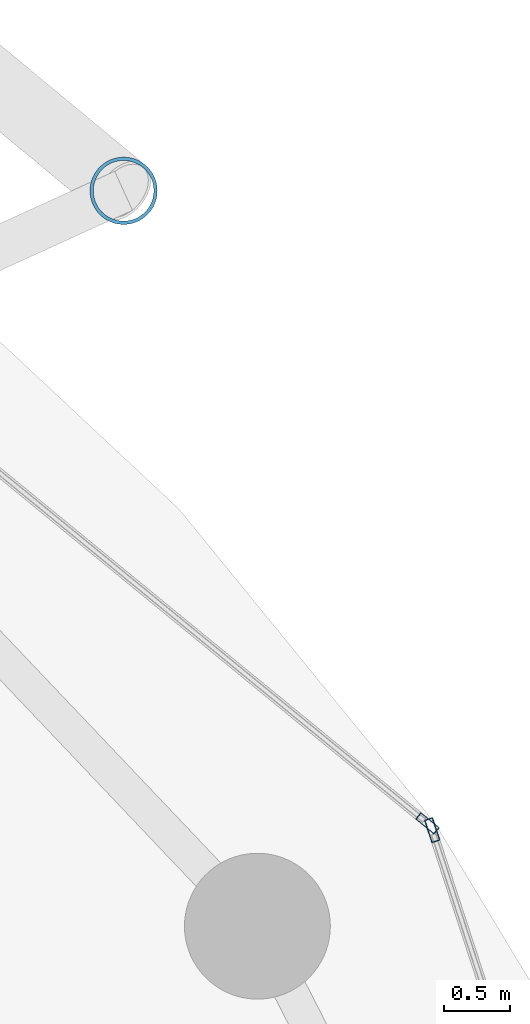
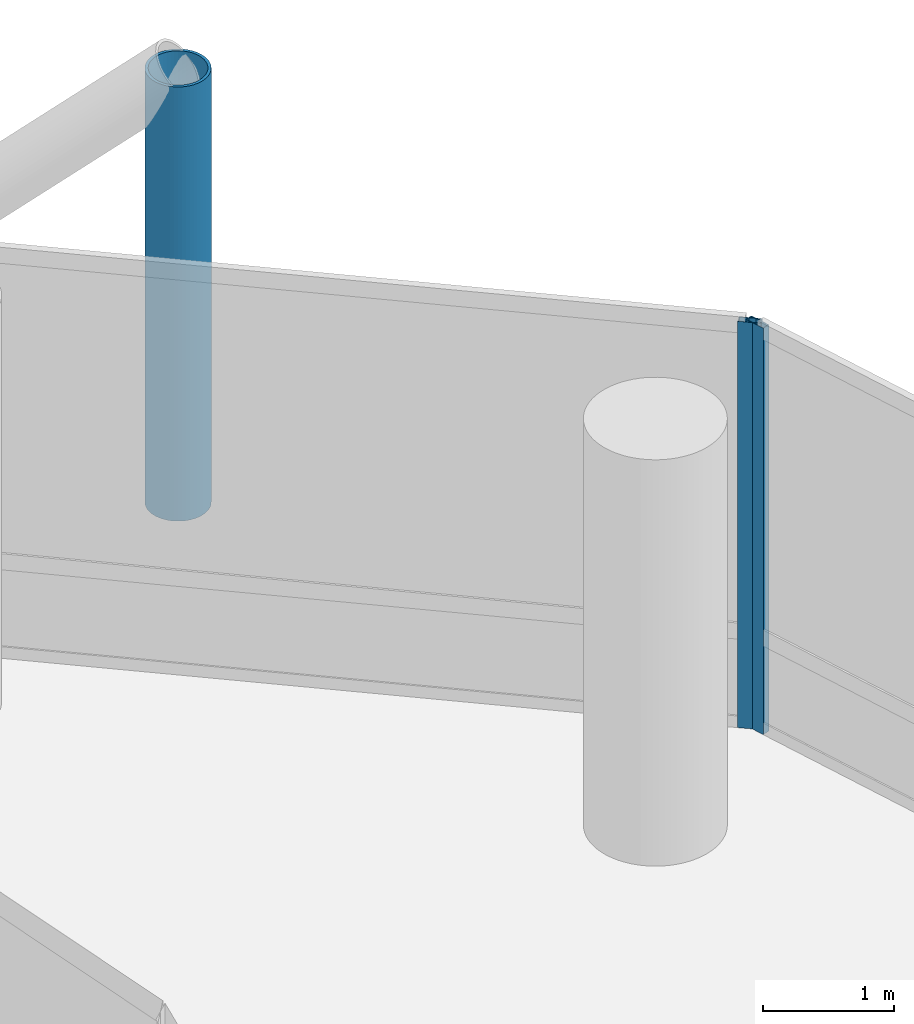
# One storey, part 19 of 25: 3 members, 2 elements without a shape of their own.
"""IFC4 building model written with IfcOpenShell, lengths in metres."""

from ifc_helpers import new_model, si_unit, direction, frame, origin, origin_2d, place, context, subcontext, project, spatial, hollow_rectangle, hollow_circle, extrude, material, layer, layer_set, material_profile, profile_set, type_object, element, aggregate, save


model = new_model("IFC4")

# Units and contexts
model_context = context("Model", 3, precision=1e-05, world=origin(), true_north=direction((0.0, 1.0)))
body_context = subcontext(model_context, "Body", "Model", "MODEL_VIEW")
ifc_project = project(units=[si_unit("LENGTHUNIT", "METRE"), si_unit("AREAUNIT", "SQUARE_METRE"), si_unit("VOLUMEUNIT", "CUBIC_METRE"), si_unit("PLANEANGLEUNIT", "RADIAN"), si_unit("MASSUNIT", "GRAM", prefix="KILO")], contexts=[model_context])

# Site, building, storey
site_placement = place(None, origin())
site = spatial("IfcSite", under=ifc_project, at=site_placement, CompositionType="ELEMENT")
building_placement = place(site_placement, origin())
building = spatial("IfcBuilding", under=site, at=building_placement, Name="Nuhasar Tower", CompositionType="ELEMENT")
storey_placement = place(building_placement, frame((0.0, 0.0, 45.300048828125)))
storey = spatial("IfcBuildingStorey", under=building, at=storey_placement, Name="L10", CompositionType="ELEMENT", Elevation=45.300048828125)

# Curtain wall, member
ifc_material_1 = material(Name="Aluminium 6063-T6", Category="aluminium")
ifc_layer = layer(ifc_material_1, 0.199951171875)
ifc_layer_set = layer_set([ifc_layer], Name="Aluminium 6063-T6")
curtain_wall_type = type_object("IfcCurtainWallType", Name="CW-Z1-OFF", PredefinedType="NOTDEFINED", material=ifc_layer_set)
curtain_wall_1_placement = place(storey_placement, origin())
curtain_wall_1 = element("IfcCurtainWall", 1, at=curtain_wall_1_placement, inside=storey, type_object=curtain_wall_type, Name="L10 Unitised Curtain Wall 01", PredefinedType="NOTDEFINED")
ifc_material_profile_1 = material_profile(ifc_material_1, hollow_rectangle(XDim=0.06494140625, YDim=0.179931640625, WallThickness=0.0048828125, at=origin_2d()), Name="CWM-2")
ifc_profile_set_1 = profile_set([ifc_material_profile_1], Name="Aluminium 6063-T6")
member_type_1 = type_object("IfcMemberType", Name="CW-MUL-S2", PredefinedType="MULLION", material=ifc_profile_set_1)
member_1_placement = place(storey_placement, frame((62.01220703125, 37.649169921875, 0.0), z_axis=(0.0, 0.0, 1.0), x_axis=(-0.950467534571, -0.310823849997, 0.0)))
member_1 = element("IfcMember", 2, at=member_1_placement, type_object=member_type_1, Name="CW-Z1 mullion 2", PredefinedType="MULLION", context=body_context, shape_type="SweptSolid", body=[
    extrude(hollow_rectangle(XDim=0.06494140625, YDim=0.179931640625, WallThickness=0.0048828125, at=origin_2d()), origin(), (0.0, 0.0, 1.0), 3.7900390625),
])
aggregate(curtain_wall_1, [member_1])

curtain_wall_2_placement = place(storey_placement, origin())
curtain_wall_2 = element("IfcCurtainWall", 3, at=curtain_wall_2_placement, inside=storey, type_object=curtain_wall_type, Name="L10 Unitised Curtain Wall 02", PredefinedType="NOTDEFINED")
member_2_placement = place(storey_placement, frame((61.976806640625, 37.70068359375, 0.0), z_axis=(0.0, 0.0, 1.0), x_axis=(-0.633744593376, -0.773542364946, 0.0)))
member_2 = element("IfcMember", 4, at=member_2_placement, type_object=member_type_1, Name="CW-Z1 mullion 1", PredefinedType="MULLION", context=body_context, shape_type="SweptSolid", body=[
    extrude(hollow_rectangle(XDim=0.06494140625, YDim=0.179931640625, WallThickness=0.0048828125, at=origin_2d()), origin(), (0.0, 0.0, 1.0), 3.7900390625),
])
aggregate(curtain_wall_2, [member_2])

# Member
ifc_material_2 = material(Name="Steel S460", Category="steel")
ifc_material_profile_2 = material_profile(ifc_material_2, hollow_circle(Radius=0.25390625, WallThickness=0.025390625, at=origin_2d()), Name="HSS508X25.4")
ifc_profile_set_2 = profile_set([ifc_material_profile_2], Name="Steel S460")
member_type_2 = type_object("IfcMemberType", Name="EXO-BRONZE-508", PredefinedType="BRACE", material=ifc_profile_set_2)
member_3_placement = place(storey_placement, frame((59.68505859375, 42.470947265625, 0.0), z_axis=(0.0, 0.0, 1.0), x_axis=(1.0, 0.0, 0.0)))
element("IfcMember", 5, at=member_3_placement, inside=storey, type_object=member_type_2, Name="L10 Exoskeleton Chord Column EC-02A", PredefinedType="BRACE", context=body_context, shape_type="SweptSolid", body=[
    extrude(hollow_circle(Radius=0.25390625, WallThickness=0.025390625, at=origin_2d()), origin(), (0.0, 0.0, 1.0), 4.050048828125),
])

save(model, "model.ifc")
